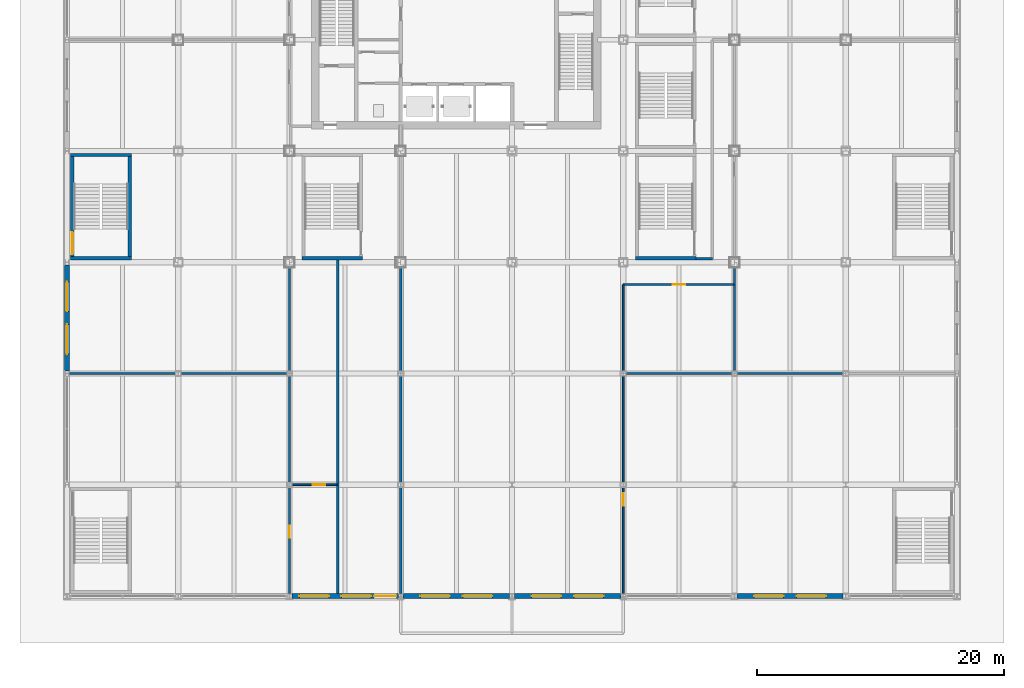
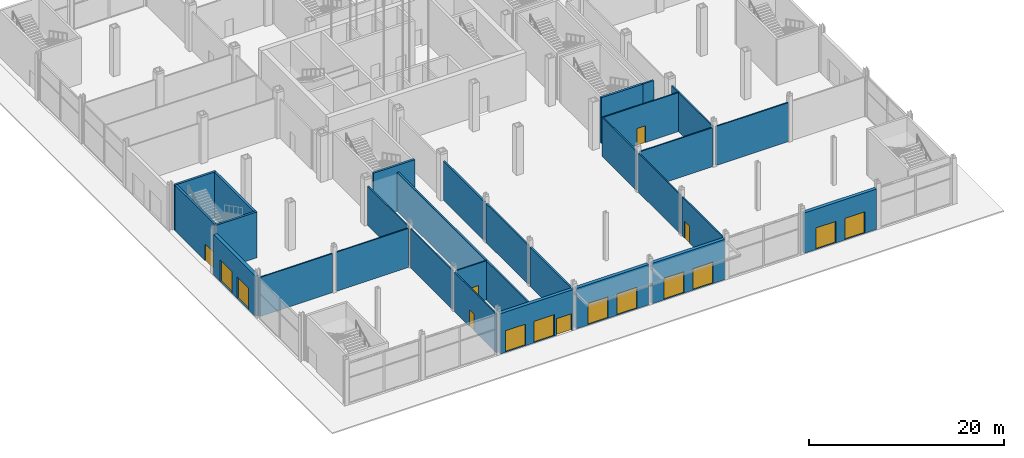
# One storey, part 18 of 34: 30 walls, 16 doors, 16 openings.
"""IFC4 building model written with IfcOpenShell, lengths in metres."""

from ifc_helpers import new_model, si_unit, direction, frame, frame_2d, origin, place, context, subcontext, project, spatial, rectangle, extrude, material, layer, layer_set, type_object, element, fill, save


model = new_model("IFC4")

# Units and contexts
model_context = context("Model", 3, precision=1e-05, world=origin(), true_north=direction((0.0, 1.0)))
body_context = subcontext(model_context, "Body", "Model", "MODEL_VIEW")
ifc_project = project(units=[si_unit("LENGTHUNIT", "METRE"), si_unit("AREAUNIT", "SQUARE_METRE"), si_unit("VOLUMEUNIT", "CUBIC_METRE"), si_unit("PLANEANGLEUNIT", "RADIAN"), si_unit("MASSUNIT", "GRAM", prefix="KILO")], contexts=[model_context])

# Site, building, storey
site_placement = place(None, origin())
site = spatial("IfcSite", under=ifc_project, at=site_placement, CompositionType="ELEMENT")
building_placement = place(site_placement, origin())
building = spatial("IfcBuilding", under=site, at=building_placement, Name="Loomwork Tower", CompositionType="ELEMENT")
storey_placement = place(building_placement, origin())
storey = spatial("IfcBuildingStorey", under=building, at=storey_placement, Name="L00", CompositionType="ELEMENT", Elevation=0.0)

# Wall, openings, doors
ifc_material_1 = material(Name="Limestone on concrete masonry", Category="masonry")
ifc_layer_1 = layer(ifc_material_1, 0.39990234375)
ifc_layer_set_1 = layer_set([ifc_layer_1], Name="Entrance portal wall 400")
wall_type_1 = type_object("IfcWallType", Name="Entrance portal wall 400", PredefinedType="SOLIDWALL", material=ifc_layer_set_1)
wall_1_placement = place(storey_placement, frame((9.20068359375, -27.0, 0.0), z_axis=(0.0, 0.0, 1.0), x_axis=(1.0, 0.0, 0.0)))
wall_1 = element("IfcWall", 1, at=wall_1_placement, inside=storey, type_object=wall_type_1, Name="Shop entrance portal wall S 9", PredefinedType="SOLIDWALL", context=body_context, shape_type="SweptSolid", body=[
    extrude(rectangle(XDim=8.5986328125, YDim=0.39990234375, at=frame_2d((4.29931640625, 0.0))), origin(), (0.0, 0.0, 1.0), 5.053955078125),
])
opening_1_placement = place(wall_1_placement, frame((0.60009765625, 0.0, 0.0)))
opening_1 = element("IfcOpeningElement", 2, at=opening_1_placement, cuts=wall_1, Name="Opening D10", PredefinedType="OPENING", context=body_context, shape_type="SweptSolid", body=[
    extrude(rectangle(XDim=2.39990234375, YDim=2.699951171875, at=frame_2d((1.199951171875, 1.35009765625))), frame((0.0, 0.2099609375, 0.0), z_axis=(0.0, -1.0, 0.0), x_axis=(1.0, 0.0, 0.0)), (0.0, 0.0, 1.0), 0.419921875),
])
opening_2_placement = place(wall_1_placement, frame((4.0, 0.0, 0.0)))
opening_2 = element("IfcOpeningElement", 3, at=opening_2_placement, cuts=wall_1, Name="Opening D10", PredefinedType="OPENING", context=body_context, shape_type="SweptSolid", body=[
    extrude(rectangle(XDim=2.39990234375, YDim=2.699951171875, at=frame_2d((1.199951171875, 1.35009765625))), frame((0.0, 0.2099609375, 0.0), z_axis=(0.0, -1.0, 0.0), x_axis=(1.0, 0.0, 0.0)), (0.0, 0.0, 1.0), 0.419921875),
])
opening_3_placement = place(wall_1_placement, frame((6.64990234375, 0.0, 0.0)))
opening_3 = element("IfcOpeningElement", 4, at=opening_3_placement, cuts=wall_1, Name="Opening D14", PredefinedType="OPENING", context=body_context, shape_type="SweptSolid", body=[
    extrude(rectangle(XDim=1.800048828125, YDim=2.10009765625, at=frame_2d((0.89990234375, 1.050048828125))), frame((0.0, 0.2099609375, 0.0), z_axis=(0.0, -1.0, 0.0), x_axis=(1.0, 0.0, 0.0)), (0.0, 0.0, 1.0), 0.419921875),
])
ifc_material_2 = material(Name="Hollow metal door and frame")
door_type_1 = type_object("IfcDoorType", Name="Entrance door 2400", OperationType="DOUBLE_DOOR_SINGLE_SWING", PredefinedType="DOOR", material=ifc_material_2)
door_1_placement = place(opening_1_placement, frame((2.39990234375, 0.0, 0.0), z_axis=(0.0, 0.0, 1.0), x_axis=(-1.0, 0.0, 0.0)))
door_1 = element("IfcDoor", 5, at=door_1_placement, inside=storey, type_object=door_type_1, Name="Shop entrance door S 9 1", OperationType="DOUBLE_DOOR_SINGLE_SWING", OverallHeight=2.699951171875, OverallWidth=2.39990234375, PredefinedType="DOOR", context=body_context, shape_type="SweptSolid", body=[
    extrude(rectangle(XDim=2.39990234375, YDim=2.699951171875, at=frame_2d((1.199951171875, 1.35009765625))), frame((0.0, 0.02490234375, 0.0), z_axis=(0.0, -1.0, 0.0), x_axis=(1.0, 0.0, 0.0)), (0.0, 0.0, 1.0), 0.050048828125),
])
fill(opening_1, door_1)
door_2_placement = place(opening_2_placement, frame((2.39990234375, 0.0, 0.0), z_axis=(0.0, 0.0, 1.0), x_axis=(-1.0, 0.0, 0.0)))
door_2 = element("IfcDoor", 6, at=door_2_placement, inside=storey, type_object=door_type_1, Name="Final exit door S 9 2", OperationType="DOUBLE_DOOR_SINGLE_SWING", OverallHeight=2.699951171875, OverallWidth=2.39990234375, PredefinedType="DOOR", context=body_context, shape_type="SweptSolid", body=[
    extrude(rectangle(XDim=2.39990234375, YDim=2.699951171875, at=frame_2d((1.199951171875, 1.35009765625))), frame((0.0, 0.02490234375, 0.0), z_axis=(0.0, -1.0, 0.0), x_axis=(1.0, 0.0, 0.0)), (0.0, 0.0, 1.0), 0.050048828125),
])
fill(opening_2, door_2)
ifc_material_3 = material(Name="Hollow metal door and frame")
door_type_2 = type_object("IfcDoorType", Name="Stair double door 1800", OperationType="DOUBLE_DOOR_SINGLE_SWING", PredefinedType="DOOR", material=ifc_material_3)
door_3_placement = place(opening_3_placement, frame((1.800048828125, 0.0, 0.0), z_axis=(0.0, 0.0, 1.0), x_axis=(-1.0, 0.0, 0.0)))
door_3 = element("IfcDoor", 7, at=door_3_placement, inside=storey, type_object=door_type_2, Name="Final exit door S 9 3", OperationType="DOUBLE_DOOR_SINGLE_SWING", OverallHeight=2.10009765625, OverallWidth=1.800048828125, PredefinedType="DOOR", context=body_context, shape_type="SweptSolid", body=[
    extrude(rectangle(XDim=1.800048828125, YDim=2.10009765625, at=frame_2d((0.89990234375, 1.050048828125))), frame((0.0, 0.02490234375, 0.0), z_axis=(0.0, -1.0, 0.0), x_axis=(1.0, 0.0, 0.0)), (0.0, 0.0, 1.0), 0.050048828125),
])
fill(opening_3, door_3)

wall_2_placement = place(storey_placement, frame((18.20068359375, -27.0, 0.0), z_axis=(0.0, 0.0, 1.0), x_axis=(1.0, 0.0, 0.0)))
wall_2 = element("IfcWall", 8, at=wall_2_placement, inside=storey, type_object=wall_type_1, Name="Entrance portal wall S 18", PredefinedType="SOLIDWALL", context=body_context, shape_type="SweptSolid", body=[
    extrude(rectangle(XDim=8.5986328125, YDim=0.39990234375, at=frame_2d((4.29931640625, 0.0))), origin(), (0.0, 0.0, 1.0), 5.053955078125),
])
opening_4_placement = place(wall_2_placement, frame((1.379638671875, 0.0, 0.0)))
opening_4 = element("IfcOpeningElement", 9, at=opening_4_placement, cuts=wall_2, Name="Opening D10", PredefinedType="OPENING", context=body_context, shape_type="SweptSolid", body=[
    extrude(rectangle(XDim=2.39990234375, YDim=2.699951171875, at=frame_2d((1.199951171875, 1.35009765625))), frame((0.0, 0.2099609375, 0.0), z_axis=(0.0, -1.0, 0.0), x_axis=(1.0, 0.0, 0.0)), (0.0, 0.0, 1.0), 0.419921875),
])
opening_5_placement = place(wall_2_placement, frame((4.819091796875, 0.0, 0.0)))
opening_5 = element("IfcOpeningElement", 10, at=opening_5_placement, cuts=wall_2, Name="Opening D10", PredefinedType="OPENING", context=body_context, shape_type="SweptSolid", body=[
    extrude(rectangle(XDim=2.39990234375, YDim=2.699951171875, at=frame_2d((1.199951171875, 1.35009765625))), frame((0.0, 0.2099609375, 0.0), z_axis=(0.0, -1.0, 0.0), x_axis=(1.0, 0.0, 0.0)), (0.0, 0.0, 1.0), 0.419921875),
])
door_4_placement = place(opening_4_placement, frame((2.39990234375, 0.0, 0.0), z_axis=(0.0, 0.0, 1.0), x_axis=(-1.0, 0.0, 0.0)))
door_4 = element("IfcDoor", 11, at=door_4_placement, inside=storey, type_object=door_type_1, Name="Entrance door S 18 1", OperationType="DOUBLE_DOOR_SINGLE_SWING", OverallHeight=2.699951171875, OverallWidth=2.39990234375, PredefinedType="DOOR", context=body_context, shape_type="SweptSolid", body=[
    extrude(rectangle(XDim=2.39990234375, YDim=2.699951171875, at=frame_2d((1.199951171875, 1.35009765625))), frame((0.0, 0.02490234375, 0.0), z_axis=(0.0, -1.0, 0.0), x_axis=(1.0, 0.0, 0.0)), (0.0, 0.0, 1.0), 0.050048828125),
])
fill(opening_4, door_4)
door_5_placement = place(opening_5_placement, frame((2.39990234375, 0.0, 0.0), z_axis=(0.0, 0.0, 1.0), x_axis=(-1.0, 0.0, 0.0)))
door_5 = element("IfcDoor", 12, at=door_5_placement, inside=storey, type_object=door_type_1, Name="Entrance door S 18 2", OperationType="DOUBLE_DOOR_SINGLE_SWING", OverallHeight=2.699951171875, OverallWidth=2.39990234375, PredefinedType="DOOR", context=body_context, shape_type="SweptSolid", body=[
    extrude(rectangle(XDim=2.39990234375, YDim=2.699951171875, at=frame_2d((1.199951171875, 1.35009765625))), frame((0.0, 0.02490234375, 0.0), z_axis=(0.0, -1.0, 0.0), x_axis=(1.0, 0.0, 0.0)), (0.0, 0.0, 1.0), 0.050048828125),
])
fill(opening_5, door_5)

wall_3_placement = place(storey_placement, frame((27.20068359375, -27.0, 0.0), z_axis=(0.0, 0.0, 1.0), x_axis=(1.0, 0.0, 0.0)))
wall_3 = element("IfcWall", 13, at=wall_3_placement, inside=storey, type_object=wall_type_1, Name="Entrance portal wall S 27", PredefinedType="SOLIDWALL", context=body_context, shape_type="SweptSolid", body=[
    extrude(rectangle(XDim=8.5986328125, YDim=0.39990234375, at=frame_2d((4.29931640625, 0.0))), origin(), (0.0, 0.0, 1.0), 5.053955078125),
])
opening_6_placement = place(wall_3_placement, frame((1.379638671875, 0.0, 0.0)))
opening_6 = element("IfcOpeningElement", 14, at=opening_6_placement, cuts=wall_3, Name="Opening D10", PredefinedType="OPENING", context=body_context, shape_type="SweptSolid", body=[
    extrude(rectangle(XDim=2.39990234375, YDim=2.699951171875, at=frame_2d((1.199951171875, 1.35009765625))), frame((0.0, 0.2099609375, 0.0), z_axis=(0.0, -1.0, 0.0), x_axis=(1.0, 0.0, 0.0)), (0.0, 0.0, 1.0), 0.419921875),
])
opening_7_placement = place(wall_3_placement, frame((4.819091796875, 0.0, 0.0)))
opening_7 = element("IfcOpeningElement", 15, at=opening_7_placement, cuts=wall_3, Name="Opening D10", PredefinedType="OPENING", context=body_context, shape_type="SweptSolid", body=[
    extrude(rectangle(XDim=2.39990234375, YDim=2.699951171875, at=frame_2d((1.199951171875, 1.35009765625))), frame((0.0, 0.2099609375, 0.0), z_axis=(0.0, -1.0, 0.0), x_axis=(1.0, 0.0, 0.0)), (0.0, 0.0, 1.0), 0.419921875),
])
door_6_placement = place(opening_6_placement, frame((2.39990234375, 0.0, 0.0), z_axis=(0.0, 0.0, 1.0), x_axis=(-1.0, 0.0, 0.0)))
door_6 = element("IfcDoor", 16, at=door_6_placement, inside=storey, type_object=door_type_1, Name="Entrance door S 27 1", OperationType="DOUBLE_DOOR_SINGLE_SWING", OverallHeight=2.699951171875, OverallWidth=2.39990234375, PredefinedType="DOOR", context=body_context, shape_type="SweptSolid", body=[
    extrude(rectangle(XDim=2.39990234375, YDim=2.699951171875, at=frame_2d((1.199951171875, 1.35009765625))), frame((0.0, 0.02490234375, 0.0), z_axis=(0.0, -1.0, 0.0), x_axis=(1.0, 0.0, 0.0)), (0.0, 0.0, 1.0), 0.050048828125),
])
fill(opening_6, door_6)
door_7_placement = place(opening_7_placement, frame((2.39990234375, 0.0, 0.0), z_axis=(0.0, 0.0, 1.0), x_axis=(-1.0, 0.0, 0.0)))
door_7 = element("IfcDoor", 17, at=door_7_placement, inside=storey, type_object=door_type_1, Name="Entrance door S 27 2", OperationType="DOUBLE_DOOR_SINGLE_SWING", OverallHeight=2.699951171875, OverallWidth=2.39990234375, PredefinedType="DOOR", context=body_context, shape_type="SweptSolid", body=[
    extrude(rectangle(XDim=2.39990234375, YDim=2.699951171875, at=frame_2d((1.199951171875, 1.35009765625))), frame((0.0, 0.02490234375, 0.0), z_axis=(0.0, -1.0, 0.0), x_axis=(1.0, 0.0, 0.0)), (0.0, 0.0, 1.0), 0.050048828125),
])
fill(opening_7, door_7)

wall_4_placement = place(storey_placement, frame((45.20458984375, -27.0, 0.0), z_axis=(0.0, 0.0, 1.0), x_axis=(1.0, 0.0, 0.0)))
wall_4 = element("IfcWall", 18, at=wall_4_placement, inside=storey, type_object=wall_type_1, Name="Shop entrance portal wall S 45", PredefinedType="SOLIDWALL", context=body_context, shape_type="SweptSolid", body=[
    extrude(rectangle(XDim=8.5908203125, YDim=0.39990234375, at=frame_2d((4.29541015625, 0.0))), origin(), (0.0, 0.0, 1.0), 5.053955078125),
])
opening_8_placement = place(wall_4_placement, frame((1.377197265625, 0.0, 0.0)))
opening_8 = element("IfcOpeningElement", 19, at=opening_8_placement, cuts=wall_4, Name="Opening D10", PredefinedType="OPENING", context=body_context, shape_type="SweptSolid", body=[
    extrude(rectangle(XDim=2.39990234375, YDim=2.699951171875, at=frame_2d((1.199951171875, 1.35009765625))), frame((0.0, 0.2099609375, 0.0), z_axis=(0.0, -1.0, 0.0), x_axis=(1.0, 0.0, 0.0)), (0.0, 0.0, 1.0), 0.419921875),
])
opening_9_placement = place(wall_4_placement, frame((4.813720703125, 0.0, 0.0)))
opening_9 = element("IfcOpeningElement", 20, at=opening_9_placement, cuts=wall_4, Name="Opening D10", PredefinedType="OPENING", context=body_context, shape_type="SweptSolid", body=[
    extrude(rectangle(XDim=2.39990234375, YDim=2.699951171875, at=frame_2d((1.199951171875, 1.35009765625))), frame((0.0, 0.2099609375, 0.0), z_axis=(0.0, -1.0, 0.0), x_axis=(1.0, 0.0, 0.0)), (0.0, 0.0, 1.0), 0.419921875),
])
door_8_placement = place(opening_8_placement, frame((2.39990234375, 0.0, 0.0), z_axis=(0.0, 0.0, 1.0), x_axis=(-1.0, 0.0, 0.0)))
door_8 = element("IfcDoor", 21, at=door_8_placement, inside=storey, type_object=door_type_1, Name="Shop entrance door S 45 1", OperationType="DOUBLE_DOOR_SINGLE_SWING", OverallHeight=2.699951171875, OverallWidth=2.39990234375, PredefinedType="DOOR", context=body_context, shape_type="SweptSolid", body=[
    extrude(rectangle(XDim=2.39990234375, YDim=2.699951171875, at=frame_2d((1.199951171875, 1.35009765625))), frame((0.0, 0.02490234375, 0.0), z_axis=(0.0, -1.0, 0.0), x_axis=(1.0, 0.0, 0.0)), (0.0, 0.0, 1.0), 0.050048828125),
])
fill(opening_8, door_8)
door_9_placement = place(opening_9_placement, frame((2.39990234375, 0.0, 0.0), z_axis=(0.0, 0.0, 1.0), x_axis=(-1.0, 0.0, 0.0)))
door_9 = element("IfcDoor", 22, at=door_9_placement, inside=storey, type_object=door_type_1, Name="Shop entrance door S 45 2", OperationType="DOUBLE_DOOR_SINGLE_SWING", OverallHeight=2.699951171875, OverallWidth=2.39990234375, PredefinedType="DOOR", context=body_context, shape_type="SweptSolid", body=[
    extrude(rectangle(XDim=2.39990234375, YDim=2.699951171875, at=frame_2d((1.199951171875, 1.35009765625))), frame((0.0, 0.02490234375, 0.0), z_axis=(0.0, -1.0, 0.0), x_axis=(1.0, 0.0, 0.0)), (0.0, 0.0, 1.0), 0.050048828125),
])
fill(opening_9, door_9)

wall_5_placement = place(storey_placement, frame((-9.0, -0.20068359375, 0.0), z_axis=(0.0, 0.0, 1.0), x_axis=(0.0, -1.0, 0.0)))
wall_5 = element("IfcWall", 23, at=wall_5_placement, inside=storey, type_object=wall_type_1, Name="Entrance portal wall W -9", PredefinedType="SOLIDWALL", context=body_context, shape_type="SweptSolid", body=[
    extrude(rectangle(XDim=8.5986328125, YDim=0.39990234375, at=frame_2d((4.29931640625, 0.0))), origin(), (0.0, 0.0, 1.0), 5.053955078125),
])
opening_10_placement = place(wall_5_placement, frame((1.379638671875, 0.0, 0.0)))
opening_10 = element("IfcOpeningElement", 24, at=opening_10_placement, cuts=wall_5, Name="Opening D10", PredefinedType="OPENING", context=body_context, shape_type="SweptSolid", body=[
    extrude(rectangle(XDim=2.39990234375, YDim=2.699951171875, at=frame_2d((1.199951171875, 1.35009765625))), frame((0.0, 0.2099609375, 0.0), z_axis=(0.0, -1.0, 0.0), x_axis=(1.0, 0.0, 0.0)), (0.0, 0.0, 1.0), 0.419921875),
])
opening_11_placement = place(wall_5_placement, frame((4.819091796875, 0.0, 0.0)))
opening_11 = element("IfcOpeningElement", 25, at=opening_11_placement, cuts=wall_5, Name="Opening D10", PredefinedType="OPENING", context=body_context, shape_type="SweptSolid", body=[
    extrude(rectangle(XDim=2.39990234375, YDim=2.699951171875, at=frame_2d((1.199951171875, 1.35009765625))), frame((0.0, 0.2099609375, 0.0), z_axis=(0.0, -1.0, 0.0), x_axis=(1.0, 0.0, 0.0)), (0.0, 0.0, 1.0), 0.419921875),
])
door_10_placement = place(opening_10_placement, frame((2.39990234375, 0.0, 0.0), z_axis=(0.0, 0.0, 1.0), x_axis=(-1.0, 0.0, 0.0)))
door_10 = element("IfcDoor", 26, at=door_10_placement, inside=storey, type_object=door_type_1, Name="Entrance door W -9 1", OperationType="DOUBLE_DOOR_SINGLE_SWING", OverallHeight=2.699951171875, OverallWidth=2.39990234375, PredefinedType="DOOR", context=body_context, shape_type="SweptSolid", body=[
    extrude(rectangle(XDim=2.39990234375, YDim=2.699951171875, at=frame_2d((1.199951171875, 1.35009765625))), frame((0.0, 0.02490234375, 0.0), z_axis=(0.0, -1.0, 0.0), x_axis=(1.0, 0.0, 0.0)), (0.0, 0.0, 1.0), 0.050048828125),
])
fill(opening_10, door_10)
door_11_placement = place(opening_11_placement, frame((2.39990234375, 0.0, 0.0), z_axis=(0.0, 0.0, 1.0), x_axis=(-1.0, 0.0, 0.0)))
door_11 = element("IfcDoor", 27, at=door_11_placement, inside=storey, type_object=door_type_1, Name="Entrance door W -9 2", OperationType="DOUBLE_DOOR_SINGLE_SWING", OverallHeight=2.699951171875, OverallWidth=2.39990234375, PredefinedType="DOOR", context=body_context, shape_type="SweptSolid", body=[
    extrude(rectangle(XDim=2.39990234375, YDim=2.699951171875, at=frame_2d((1.199951171875, 1.35009765625))), frame((0.0, 0.02490234375, 0.0), z_axis=(0.0, -1.0, 0.0), x_axis=(1.0, 0.0, 0.0)), (0.0, 0.0, 1.0), 0.050048828125),
])
fill(opening_11, door_11)

# Walls
ifc_material_4 = material(Name="Gypsum board on steel studs, one-hour", Category="steel")
ifc_layer_2 = layer(ifc_material_4, 0.14990234375)
ifc_layer_set_2 = layer_set([ifc_layer_2], Name="Partition 150")
wall_type_2 = type_object("IfcWallType", Name="Partition 150", PredefinedType="PARTITIONING", material=ifc_layer_set_2)
wall_6_placement = place(storey_placement, frame((-8.800537109375, -9.0, 0.0), z_axis=(0.0, 0.0, 1.0), x_axis=(1.0, 0.0, 0.0)))
element("IfcWall", 28, at=wall_6_placement, inside=storey, type_object=wall_type_2, Name="Partition L00 1.1", PredefinedType="PARTITIONING", context=body_context, shape_type="SweptSolid", body=[
    extrude(rectangle(XDim=8.599853515625, YDim=0.14990234375, at=frame_2d((4.2998046875, 0.0))), origin(), (0.0, 0.0, 1.0), 4.8916015625),
])
wall_7_placement = place(storey_placement, frame((0.20068359375, -9.0, 0.0), z_axis=(0.0, 0.0, 1.0), x_axis=(1.0, 0.0, 0.0)))
element("IfcWall", 29, at=wall_7_placement, inside=storey, type_object=wall_type_2, Name="Partition L00 1.2", PredefinedType="PARTITIONING", context=body_context, shape_type="SweptSolid", body=[
    extrude(rectangle(XDim=8.5986328125, YDim=0.14990234375, at=frame_2d((4.29931640625, 0.0))), origin(), (0.0, 0.0, 1.0), 4.8916015625),
])

# Wall, opening, door
wall_8_placement = place(storey_placement, frame((9.0, -18.199462890625, 0.0), z_axis=(0.0, 0.0, 1.0), x_axis=(0.0, -1.0, 0.0)))
wall_8 = element("IfcWall", 30, at=wall_8_placement, inside=storey, type_object=wall_type_2, Name="Partition L00 5.1", PredefinedType="PARTITIONING", context=body_context, shape_type="SweptSolid", body=[
    extrude(rectangle(XDim=8.60107421875, YDim=0.14990234375, at=frame_2d((4.300537109375, 0.0))), origin(), (0.0, 0.0, 1.0), 4.8916015625),
])
opening_12_placement = place(wall_8_placement, frame((3.1005859375, 0.0, 0.0)))
opening_12 = element("IfcOpeningElement", 31, at=opening_12_placement, cuts=wall_8, Name="Opening D7", PredefinedType="OPENING", context=body_context, shape_type="SweptSolid", body=[
    extrude(rectangle(XDim=1.0, YDim=2.10009765625, at=frame_2d((0.5, 1.050048828125))), frame((0.0, 0.0849609375, 0.0), z_axis=(0.0, -1.0, 0.0), x_axis=(1.0, 0.0, 0.0)), (0.0, 0.0, 1.0), 0.169921875),
])
ifc_material_5 = material(Name="Hollow metal door and frame")
door_type_3 = type_object("IfcDoorType", Name="Room door 1000", OperationType="SINGLE_SWING_LEFT", PredefinedType="DOOR", material=ifc_material_5)
door_12_placement = place(opening_12_placement, origin())
door_12 = element("IfcDoor", 32, at=door_12_placement, inside=storey, type_object=door_type_3, Name="Retail unit L00-01 door", OperationType="SINGLE_SWING_LEFT", OverallHeight=2.10009765625, OverallWidth=1.0, PredefinedType="DOOR", context=body_context, shape_type="SweptSolid", body=[
    extrude(rectangle(XDim=1.0, YDim=2.10009765625, at=frame_2d((0.5, 1.050048828125))), frame((0.0, 0.02490234375, 0.0), z_axis=(0.0, -1.0, 0.0), x_axis=(1.0, 0.0, 0.0)), (0.0, 0.0, 1.0), 0.050048828125),
])
fill(opening_12, door_12)

wall_9_placement = place(storey_placement, frame((12.85009765625, -18.0, 0.0), z_axis=(0.0, 0.0, 1.0), x_axis=(-1.0, 0.0, 0.0)))
wall_9 = element("IfcWall", 33, at=wall_9_placement, inside=storey, type_object=wall_type_2, Name="Partition L00 6.1", PredefinedType="PARTITIONING", context=body_context, shape_type="SweptSolid", body=[
    extrude(rectangle(XDim=3.6494140625, YDim=0.14990234375, at=frame_2d((1.82470703125, 0.0))), origin(), (0.0, 0.0, 1.0), 4.8916015625),
])
opening_13_placement = place(wall_9_placement, frame((0.949951171875, 0.0, 0.0)))
opening_13 = element("IfcOpeningElement", 34, at=opening_13_placement, cuts=wall_9, Name="Opening D7", PredefinedType="OPENING", context=body_context, shape_type="SweptSolid", body=[
    extrude(rectangle(XDim=1.0, YDim=2.10009765625, at=frame_2d((0.5, 1.050048828125))), frame((0.0, 0.0849609375, 0.0), z_axis=(0.0, -1.0, 0.0), x_axis=(1.0, 0.0, 0.0)), (0.0, 0.0, 1.0), 0.169921875),
])
door_13_placement = place(opening_13_placement, origin())
door_13 = element("IfcDoor", 35, at=door_13_placement, inside=storey, type_object=door_type_3, Name="Guest lounge door", OperationType="SINGLE_SWING_LEFT", OverallHeight=2.10009765625, OverallWidth=1.0, PredefinedType="DOOR", context=body_context, shape_type="SweptSolid", body=[
    extrude(rectangle(XDim=1.0, YDim=2.10009765625, at=frame_2d((0.5, 1.050048828125))), frame((0.0, 0.02490234375, 0.0), z_axis=(0.0, -1.0, 0.0), x_axis=(1.0, 0.0, 0.0)), (0.0, 0.0, 1.0), 0.050048828125),
])
fill(opening_13, door_13)

# Walls
wall_10_placement = place(storey_placement, frame((9.0, -9.199462890625, 0.0), z_axis=(0.0, 0.0, 1.0), x_axis=(0.0, -1.0, 0.0)))
element("IfcWall", 36, at=wall_10_placement, inside=storey, type_object=wall_type_2, Name="Partition L00 7.1", PredefinedType="PARTITIONING", context=body_context, shape_type="SweptSolid", body=[
    extrude(rectangle(XDim=8.60107421875, YDim=0.14990234375, at=frame_2d((4.300537109375, 0.0))), origin(), (0.0, 0.0, 1.0), 4.8916015625),
])
wall_11_placement = place(storey_placement, frame((9.0, -0.39990234375, 0.0), z_axis=(0.0, 0.0, 1.0), x_axis=(0.0, -1.0, 0.0)))
element("IfcWall", 37, at=wall_11_placement, inside=storey, type_object=wall_type_2, Name="Partition L00 8.1", PredefinedType="PARTITIONING", context=body_context, shape_type="SweptSolid", body=[
    extrude(rectangle(XDim=8.400634765625, YDim=0.14990234375, at=frame_2d((4.2001953125, 0.0))), origin(), (0.0, 0.0, 1.0), 4.8916015625),
])

# Wall, opening, door
wall_12_placement = place(storey_placement, frame((36.0, -26.800537109375, 0.0), z_axis=(0.0, 0.0, 1.0), x_axis=(0.0, 1.0, 0.0)))
wall_12 = element("IfcWall", 38, at=wall_12_placement, inside=storey, type_object=wall_type_2, Name="Partition L00 16.1", PredefinedType="PARTITIONING", context=body_context, shape_type="SweptSolid", body=[
    extrude(rectangle(XDim=8.60107421875, YDim=0.14990234375, at=frame_2d((4.300537109375, 0.0))), origin(), (0.0, 0.0, 1.0), 4.8916015625),
])
opening_14_placement = place(wall_12_placement, frame((7.1005859375, 0.0, 0.0)))
opening_14 = element("IfcOpeningElement", 39, at=opening_14_placement, cuts=wall_12, Name="Opening D7", PredefinedType="OPENING", context=body_context, shape_type="SweptSolid", body=[
    extrude(rectangle(XDim=1.0, YDim=2.10009765625, at=frame_2d((0.5, 1.050048828125))), frame((0.0, 0.0849609375, 0.0), z_axis=(0.0, -1.0, 0.0), x_axis=(1.0, 0.0, 0.0)), (0.0, 0.0, 1.0), 0.169921875),
])
door_14_placement = place(opening_14_placement, origin())
door_14 = element("IfcDoor", 40, at=door_14_placement, inside=storey, type_object=door_type_3, Name="Retail unit L00-02 door", OperationType="SINGLE_SWING_LEFT", OverallHeight=2.10009765625, OverallWidth=1.0, PredefinedType="DOOR", context=body_context, shape_type="SweptSolid", body=[
    extrude(rectangle(XDim=1.0, YDim=2.10009765625, at=frame_2d((0.5, 1.050048828125))), frame((0.0, 0.02490234375, 0.0), z_axis=(0.0, -1.0, 0.0), x_axis=(1.0, 0.0, 0.0)), (0.0, 0.0, 1.0), 0.050048828125),
])
fill(opening_14, door_14)

# Walls
wall_13_placement = place(storey_placement, frame((36.0, -17.800537109375, 0.0), z_axis=(0.0, 0.0, 1.0), x_axis=(0.0, 1.0, 0.0)))
element("IfcWall", 41, at=wall_13_placement, inside=storey, type_object=wall_type_2, Name="Partition L00 16.2", PredefinedType="PARTITIONING", context=body_context, shape_type="SweptSolid", body=[
    extrude(rectangle(XDim=8.60107421875, YDim=0.14990234375, at=frame_2d((4.300537109375, 0.0))), origin(), (0.0, 0.0, 1.0), 4.8916015625),
])
wall_14_placement = place(storey_placement, frame((36.20068359375, -9.0, 0.0), z_axis=(0.0, 0.0, 1.0), x_axis=(1.0, 0.0, 0.0)))
element("IfcWall", 42, at=wall_14_placement, inside=storey, type_object=wall_type_2, Name="Partition L00 17.1", PredefinedType="PARTITIONING", context=body_context, shape_type="SweptSolid", body=[
    extrude(rectangle(XDim=8.5986328125, YDim=0.14990234375, at=frame_2d((4.29931640625, 0.0))), origin(), (0.0, 0.0, 1.0), 4.8916015625),
])
wall_15_placement = place(storey_placement, frame((36.0, -8.800537109375, 0.0), z_axis=(0.0, 0.0, 1.0), x_axis=(0.0, 1.0, 0.0)))
element("IfcWall", 43, at=wall_15_placement, inside=storey, type_object=wall_type_2, Name="Partition L00 18.1", PredefinedType="PARTITIONING", context=body_context, shape_type="SweptSolid", body=[
    extrude(rectangle(XDim=7.00048828125, YDim=0.14990234375, at=frame_2d((3.500244140625, 0.0))), origin(), (0.0, 0.0, 1.0), 4.8916015625),
])

# Wall, opening, door
wall_16_placement = place(storey_placement, frame((36.0, -1.800048828125, 0.0), z_axis=(0.0, 0.0, 1.0), x_axis=(1.0, 0.0, 0.0)))
wall_16 = element("IfcWall", 44, at=wall_16_placement, inside=storey, type_object=wall_type_2, Name="Partition L00 19.1", PredefinedType="PARTITIONING", context=body_context, shape_type="SweptSolid", body=[
    extrude(rectangle(XDim=9.0, YDim=0.14990234375, at=frame_2d((4.5, 0.0))), origin(), (0.0, 0.0, 1.0), 4.89111328125),
])
opening_15_placement = place(wall_16_placement, frame((4.0, 0.0, 0.0)))
opening_15 = element("IfcOpeningElement", 45, at=opening_15_placement, cuts=wall_16, Name="Opening D15", PredefinedType="OPENING", context=body_context, shape_type="SweptSolid", body=[
    extrude(rectangle(XDim=1.0, YDim=2.10009765625, at=frame_2d((0.5, 1.050048828125))), frame((0.0, 0.0849609375, 0.0), z_axis=(0.0, -1.0, 0.0), x_axis=(1.0, 0.0, 0.0)), (0.0, 0.0, 1.0), 0.169921875),
])
ifc_material_6 = material(Name="Hollow metal door and frame")
door_type_4 = type_object("IfcDoorType", Name="Fire-rated room door 1000", OperationType="SINGLE_SWING_LEFT", PredefinedType="DOOR", material=ifc_material_6)
door_15_placement = place(opening_15_placement, frame((1.0, 0.0, 0.0), z_axis=(0.0, 0.0, 1.0), x_axis=(-1.0, 0.0, 0.0)))
door_15 = element("IfcDoor", 46, at=door_15_placement, inside=storey, type_object=door_type_4, Name="Fire command centre door", OperationType="SINGLE_SWING_LEFT", OverallHeight=2.10009765625, OverallWidth=1.0, PredefinedType="DOOR", context=body_context, shape_type="SweptSolid", body=[
    extrude(rectangle(XDim=1.0, YDim=2.10009765625, at=frame_2d((0.5, 1.050048828125))), frame((0.0, 0.02490234375, 0.0), z_axis=(0.0, -1.0, 0.0), x_axis=(1.0, 0.0, 0.0)), (0.0, 0.0, 1.0), 0.050048828125),
])
fill(opening_15, door_15)

# Walls
wall_17_placement = place(storey_placement, frame((45.20068359375, -9.0, 0.0), z_axis=(0.0, 0.0, 1.0), x_axis=(1.0, 0.0, 0.0)))
element("IfcWall", 47, at=wall_17_placement, inside=storey, type_object=wall_type_2, Name="Partition L00 22.1", PredefinedType="PARTITIONING", context=body_context, shape_type="SweptSolid", body=[
    extrude(rectangle(XDim=8.5986328125, YDim=0.14990234375, at=frame_2d((4.29931640625, 0.0))), origin(), (0.0, 0.0, 1.0), 4.8916015625),
])
wall_18_placement = place(storey_placement, frame((45.0, -1.800048828125, 0.0), z_axis=(0.0, 0.0, 1.0), x_axis=(0.0, -1.0, 0.0)))
element("IfcWall", 48, at=wall_18_placement, inside=storey, type_object=wall_type_2, Name="Partition L00 23.1", PredefinedType="PARTITIONING", context=body_context, shape_type="SweptSolid", body=[
    extrude(rectangle(XDim=7.00048828125, YDim=0.14990234375, at=frame_2d((3.500244140625, 0.0))), origin(), (0.0, 0.0, 1.0), 4.8916015625),
])
wall_19_placement = place(storey_placement, frame((45.0, -1.800048828125, 0.0), z_axis=(0.0, 0.0, 1.0), x_axis=(0.0, 1.0, 0.0)))
element("IfcWall", 49, at=wall_19_placement, inside=storey, type_object=wall_type_2, Name="Partition L00 24.1", PredefinedType="PARTITIONING", context=body_context, shape_type="SweptSolid", body=[
    extrude(rectangle(XDim=1.400146484375, YDim=0.14990234375, at=frame_2d((0.7001953125, 0.0))), origin(), (0.0, 0.0, 1.0), 4.8916015625),
])
ifc_material_7 = material(Name="Gypsum board on steel studs, two-hour", Category="steel")
ifc_layer_3 = layer(ifc_material_7, 0.199951171875)
ifc_layer_set_3 = layer_set([ifc_layer_3], Name="Refuge enclosure wall 200")
wall_type_3 = type_object("IfcWallType", Name="Refuge enclosure wall 200", PredefinedType="PARTITIONING", material=ifc_layer_set_3)
wall_20_placement = place(storey_placement, frame((41.89990234375, 0.300048828125, 0.0), z_axis=(0.0, 0.0, 1.0), x_axis=(1.0, 0.0, 0.0)))
element("IfcWall", 50, at=wall_20_placement, inside=storey, type_object=wall_type_3, Name="Exit passageway wall ep-e-s0 1", PredefinedType="PARTITIONING", context=body_context, shape_type="SweptSolid", body=[
    extrude(rectangle(XDim=1.300048828125, YDim=0.199951171875, at=frame_2d((0.64990234375, 0.0))), origin(), (0.0, 0.0, 1.0), 5.75),
])
wall_21_placement = place(storey_placement, frame((12.89990234375, -26.800048828125, 0.0), z_axis=(0.0, 0.0, 1.0), x_axis=(0.0, 1.0, 0.0)))
element("IfcWall", 51, at=wall_21_placement, inside=storey, type_object=wall_type_3, Name="Exit passageway wall ep-sw-w1 1", PredefinedType="PARTITIONING", context=body_context, shape_type="SweptSolid", body=[
    extrude(rectangle(XDim=27.0, YDim=0.199951171875, at=frame_2d((13.5, 0.0))), origin(), (0.0, 0.0, 1.0), 4.89111328125),
])
wall_22_placement = place(storey_placement, frame((18.0, -26.800048828125, 0.0), z_axis=(0.0, 0.0, 1.0), x_axis=(0.0, 1.0, 0.0)))
element("IfcWall", 52, at=wall_22_placement, inside=storey, type_object=wall_type_3, Name="Exit passageway wall ep-sw-e0 1", PredefinedType="PARTITIONING", context=body_context, shape_type="SweptSolid", body=[
    extrude(rectangle(XDim=8.6005859375, YDim=0.199951171875, at=frame_2d((4.30029296875, 0.0))), origin(), (0.0, 0.0, 1.0), 4.8916015625),
])
wall_23_placement = place(storey_placement, frame((18.0, -17.800537109375, 0.0), z_axis=(0.0, 0.0, 1.0), x_axis=(0.0, 1.0, 0.0)))
element("IfcWall", 53, at=wall_23_placement, inside=storey, type_object=wall_type_3, Name="Exit passageway wall ep-sw-e0 2", PredefinedType="PARTITIONING", context=body_context, shape_type="SweptSolid", body=[
    extrude(rectangle(XDim=8.60107421875, YDim=0.199951171875, at=frame_2d((4.300537109375, 0.0))), origin(), (0.0, 0.0, 1.0), 4.8916015625),
])
wall_24_placement = place(storey_placement, frame((18.0, -8.800537109375, 0.0), z_axis=(0.0, 0.0, 1.0), x_axis=(0.0, 1.0, 0.0)))
element("IfcWall", 54, at=wall_24_placement, inside=storey, type_object=wall_type_3, Name="Exit passageway wall ep-sw-e0 3", PredefinedType="PARTITIONING", context=body_context, shape_type="SweptSolid", body=[
    extrude(rectangle(XDim=8.400634765625, YDim=0.199951171875, at=frame_2d((4.2001953125, 0.0))), origin(), (0.0, 0.0, 1.0), 4.8916015625),
])
ifc_material_8 = material(Name="Concrete masonry, two-hour", Category="masonry")
ifc_layer_4 = layer(ifc_material_8, 0.25)
ifc_layer_set_4 = layer_set([ifc_layer_4], Name="Stair enclosure wall 250")
wall_type_4 = type_object("IfcWallType", Name="Stair enclosure wall 250", PredefinedType="SOLIDWALL", material=ifc_layer_set_4)
for number, where, z_axis, x_axis, name in (
    (55, (-8.699951171875, 0.324951171875, 0.0), (0.0, 0.0, 1.0), (1.0, 0.0, 0.0), "Stair PS5 enclosure wall S L00"),
    (56, (-8.699951171875, 8.675048828125, 0.0), (0.0, 0.0, 1.0), (1.0, 0.0, 0.0), "Stair PS5 enclosure wall N L00"),
):
    element("IfcWall", number, at=place(storey_placement, frame(where, z_axis=z_axis, x_axis=x_axis)), inside=storey, type_object=wall_type_4, Name=name, PredefinedType="SOLIDWALL", context=body_context, shape_type="SweptSolid", body=[
        extrude(rectangle(XDim=4.89990234375, YDim=0.25, at=frame_2d((2.449951171875, 0.0))), origin(), (0.0, 0.0, 1.0), 5.75),
    ])

# Wall, opening, door
wall_25_placement = place(storey_placement, frame((-8.574951171875, 0.449951171875, 0.0), z_axis=(0.0, 0.0, 1.0), x_axis=(0.0, 1.0, 0.0)))
wall_25 = element("IfcWall", 57, at=wall_25_placement, inside=storey, type_object=wall_type_4, Name="Stair PS5 enclosure wall W L00", PredefinedType="SOLIDWALL", context=body_context, shape_type="SweptSolid", body=[
    extrude(rectangle(XDim=8.10009765625, YDim=0.25, at=frame_2d((4.050048828125, 0.0))), origin(), (0.0, 0.0, 1.0), 5.75),
])
opening_16_placement = place(wall_25_placement, frame((0.199951171875, 0.0, 0.0)))
opening_16 = element("IfcOpeningElement", 58, at=opening_16_placement, cuts=wall_25, Name="Opening D14", PredefinedType="OPENING", context=body_context, shape_type="SweptSolid", body=[
    extrude(rectangle(XDim=1.800048828125, YDim=2.10009765625, at=frame_2d((0.89990234375, 1.050048828125))), frame((0.0, 0.135009765625, 0.0), z_axis=(0.0, -1.0, 0.0), x_axis=(1.0, 0.0, 0.0)), (0.0, 0.0, 1.0), 0.27001953125),
])
door_16_placement = place(opening_16_placement, origin())
door_16 = element("IfcDoor", 59, at=door_16_placement, inside=storey, type_object=door_type_2, Name="Stair PS5 exit discharge door L00", OperationType="DOUBLE_DOOR_SINGLE_SWING", OverallHeight=2.10009765625, OverallWidth=1.800048828125, PredefinedType="DOOR", context=body_context, shape_type="SweptSolid", body=[
    extrude(rectangle(XDim=1.800048828125, YDim=2.10009765625, at=frame_2d((0.89990234375, 1.050048828125))), frame((0.0, 0.02490234375, 0.0), z_axis=(0.0, -1.0, 0.0), x_axis=(1.0, 0.0, 0.0)), (0.0, 0.0, 1.0), 0.050048828125),
])
fill(opening_16, door_16)

# Walls
wall_26_placement = place(storey_placement, frame((-3.925048828125, 0.449951171875, 0.0), z_axis=(0.0, 0.0, 1.0), x_axis=(0.0, 1.0, 0.0)))
element("IfcWall", 60, at=wall_26_placement, inside=storey, type_object=wall_type_4, Name="Stair PS5 enclosure wall E L00", PredefinedType="SOLIDWALL", context=body_context, shape_type="SweptSolid", body=[
    extrude(rectangle(XDim=8.10009765625, YDim=0.25, at=frame_2d((4.050048828125, 0.0))), origin(), (0.0, 0.0, 1.0), 5.75),
])
for number, where, z_axis, x_axis, name in (
    (61, (37.0, 0.324951171875, 0.0), (0.0, 0.0, 1.0), (1.0, 0.0, 0.0), "Stair PS7 enclosure wall S L00"),
    (62, (10.0, 0.324951171875, 0.0), (0.0, 0.0, 1.0), (1.0, 0.0, 0.0), "Stair PS12 enclosure wall S L00"),
):
    element("IfcWall", number, at=place(storey_placement, frame(where, z_axis=z_axis, x_axis=x_axis)), inside=storey, type_object=wall_type_4, Name=name, PredefinedType="SOLIDWALL", context=body_context, shape_type="SweptSolid", body=[
        extrude(rectangle(XDim=4.89990234375, YDim=0.25, at=frame_2d((2.449951171875, 0.0))), origin(), (0.0, 0.0, 1.0), 5.75),
    ])

save(model, "model.ifc")
